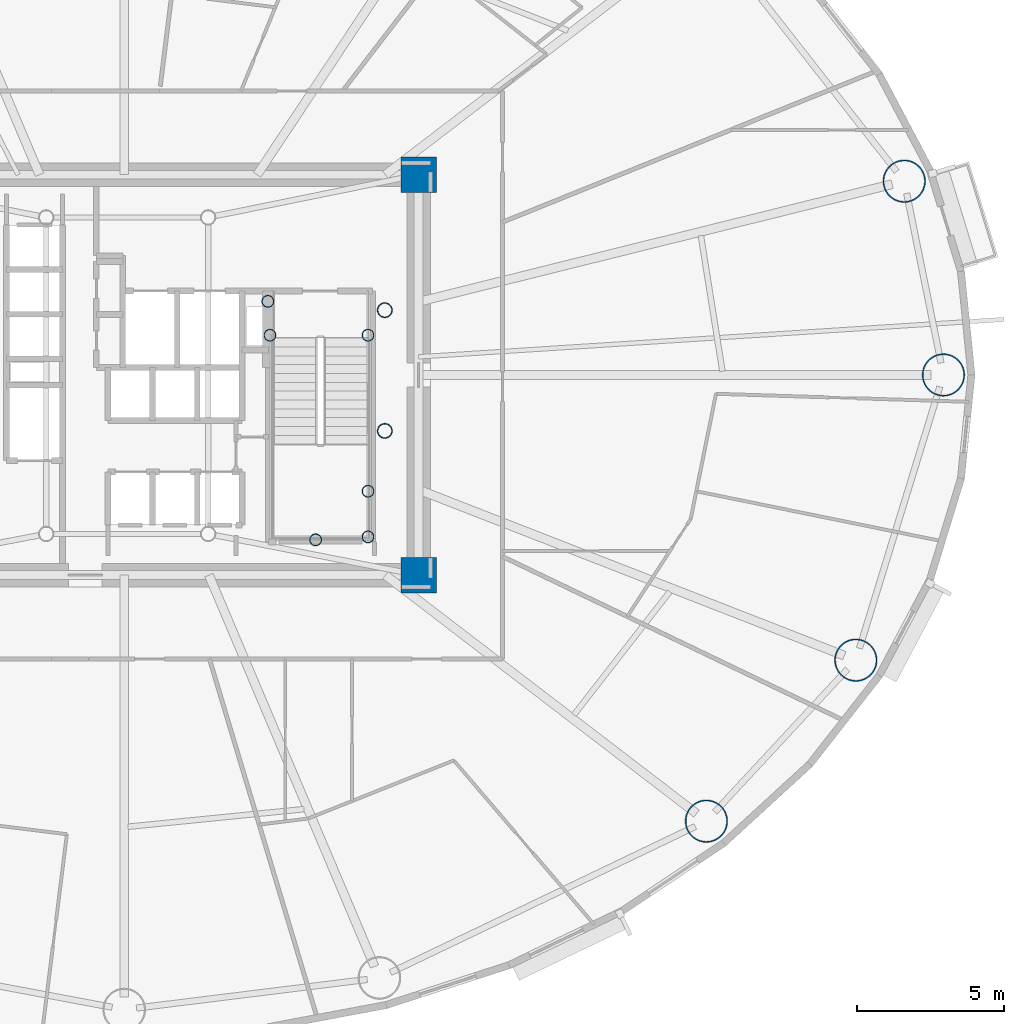
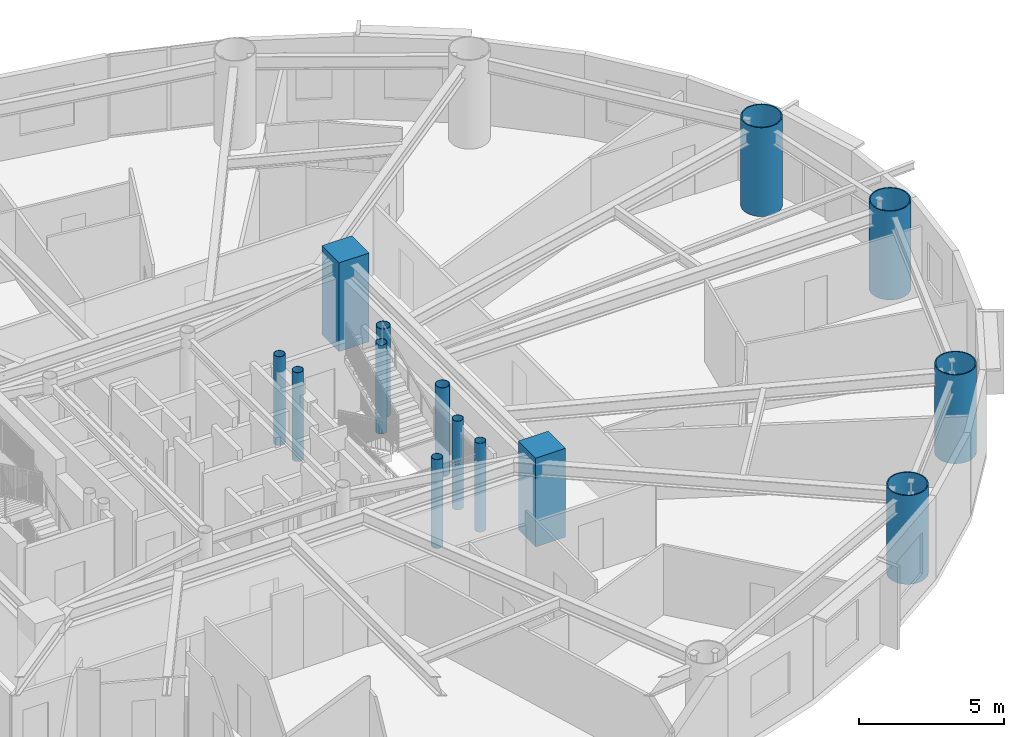
# One storey, part 2 of 18: 14 columns.
"""IFC4 building model written with IfcOpenShell, lengths in metres."""

import ifcopenshell
import ifcopenshell.guid

model = None  # the IFC model being written
_history = None  # IfcOwnerHistory: only IFC2X3 demands one
_inside = {}  # id of a spatial element -> (the spatial element, [elements in it])
_under = {}  # id of a project, library or spatial element -> (it, [spatial elements below it])
_declared = {}  # id of a project -> (the project, [libraries it declares])
_typed = {}  # id of a type object -> (the type object, [elements of that type])
_made_of = {}  # id of a material, layer set ... -> (it, [elements and type objects made of it])


def new_model(schema):
    """Start an empty IFC model of exactly this schema.

    Asked for "IFC4X3", IfcOpenShell would pick the latest addendum, in which some entities
    have other attributes; the version numbers below select the first issue.
    IFC2X3 requires an IfcOwnerHistory on every rooted entity: one is made here for all.
    """
    global model, _history
    if schema == "IFC4X3":
        model = ifcopenshell.file(schema_version=(4, 3, 0, 0))
    else:
        model = ifcopenshell.file(schema=schema)
    _inside.clear()
    _under.clear()
    _declared.clear()
    _typed.clear()
    _made_of.clear()
    _history = None
    if model.schema == "IFC2X3":
        org = make("IfcOrganization", Name="unknown")
        user = make(
            "IfcPersonAndOrganization",
            ThePerson=make("IfcPerson", FamilyName="unknown"),
            TheOrganization=org,
        )
        app = make(
            "IfcApplication",
            ApplicationDeveloper=org,
            Version="unknown",
            ApplicationFullName="unknown",
            ApplicationIdentifier="unknown",
        )
        _history = make(
            "IfcOwnerHistory",
            OwningUser=user,
            OwningApplication=app,
            ChangeAction="ADDED",
            CreationDate=0,
        )
    return model


def make(cls, **values):
    """One entity of the class cls with the attributes given. An attribute that is None is left unset."""
    return model.create_entity(
        cls, **{name: value for name, value in values.items() if value is not None}
    )


def rooted(cls, **values):
    """An entity with a GlobalId (a new one), such as an element, a storey or a relation."""
    return make(cls, GlobalId=ifcopenshell.guid.new(), OwnerHistory=_history, **values)


def si_unit(unit_type, name, prefix=None):
    """IfcSIUnit, for example si_unit("LENGTHUNIT", "METRE", prefix="MILLI")."""
    return make("IfcSIUnit", UnitType=unit_type, Prefix=prefix, Name=name)


def assignment(units):
    """IfcUnitAssignment: the units of a project."""
    return None if units is None else make("IfcUnitAssignment", Units=units)


def point(xyz):
    """IfcCartesianPoint."""
    return None if xyz is None else make("IfcCartesianPoint", Coordinates=xyz)


def direction(xyz):
    """IfcDirection."""
    return None if xyz is None else make("IfcDirection", DirectionRatios=xyz)


def frame(location, z_axis=None, x_axis=None):
    """IfcAxis2Placement3D, a coordinate frame: its origin and axes. An axis left out is left unset."""
    return make(
        "IfcAxis2Placement3D",
        Location=point(location),
        Axis=direction(z_axis),
        RefDirection=direction(x_axis),
    )


def frame_2d(location, x_axis=None):
    """IfcAxis2Placement2D, a coordinate frame in the plane: its origin and x axis."""
    return make(
        "IfcAxis2Placement2D", Location=point(location), RefDirection=direction(x_axis)
    )


def origin():
    """The frame at (0, 0, 0) with its axes left unset."""
    return frame((0.0, 0.0, 0.0))


def origin_2d():
    """The frame at (0, 0) in the plane with its x axis left unset."""
    return frame_2d((0.0, 0.0))


def place(relative_to, where):
    """IfcLocalPlacement: puts the frame where relative to a parent placement (None: the world)."""
    return make(
        "IfcLocalPlacement", PlacementRelTo=relative_to, RelativePlacement=where
    )


def context(
    kind, dimensions, precision=None, world=None, true_north=None, identifier=None
):
    """IfcGeometricRepresentationContext, for example the 3D "Model" context."""
    return make(
        "IfcGeometricRepresentationContext",
        ContextIdentifier=identifier,
        ContextType=kind,
        CoordinateSpaceDimension=dimensions,
        Precision=precision,
        WorldCoordinateSystem=world,
        TrueNorth=true_north,
    )


def subcontext(parent, identifier, kind, view, scale=None):
    """IfcGeometricRepresentationSubContext, for example "Body" below "Model"."""
    return make(
        "IfcGeometricRepresentationSubContext",
        ContextIdentifier=identifier,
        ContextType=kind,
        ParentContext=parent,
        TargetScale=scale,
        TargetView=view,
    )


def project(units=None, contexts=None):
    """IfcProject with its units and contexts."""
    return rooted(
        "IfcProject",
        Name="project",
        RepresentationContexts=contexts,
        UnitsInContext=assignment(units),
    )


def spatial(cls, under=None, at=None, **own):
    """A site, building, storey or space (cls), placed at a placement, below another one or the project."""
    s = rooted(cls, ObjectPlacement=at, **own)
    if under is not None:
        _under.setdefault(under.id(), (under, []))[1].append(s)
    return s


def profile(cls, at=None, kind="AREA", **sizes):
    """A parametric profile (cls). Its sizes go by their IFC names, for example OverallWidth=200.0."""
    return make(cls, ProfileType=kind, Position=at, **sizes)


def rectangle(**sizes):
    """IfcRectangleProfileDef."""
    return profile("IfcRectangleProfileDef", **sizes)


def hollow_circle(**sizes):
    """IfcCircleHollowProfileDef."""
    return profile("IfcCircleHollowProfileDef", **sizes)


def extrude(swept, where, along, depth):
    """IfcExtrudedAreaSolid: the profile swept, set in the frame where, extruded along a direction by depth."""
    return make(
        "IfcExtrudedAreaSolid",
        SweptArea=swept,
        Position=where,
        ExtrudedDirection=direction(along),
        Depth=depth,
    )


def shape(context_of_items, identifier, shape_type, items):
    """IfcShapeRepresentation: the items that make up one representation, for example the "Body"."""
    return make(
        "IfcShapeRepresentation",
        ContextOfItems=context_of_items,
        RepresentationIdentifier=identifier,
        RepresentationType=shape_type,
        Items=items,
    )


def material(Name=None, Category=None):
    """IfcMaterial."""
    return make("IfcMaterial", Name=Name, Category=Category)


def material_profile(
    of_material, cross_section, Name=None, Category=None, Priority=None
):
    """IfcMaterialProfile: a cross section and its material."""
    return make(
        "IfcMaterialProfile",
        Name=Name,
        Material=of_material,
        Profile=cross_section,
        Priority=Priority,
        Category=Category,
    )


def profile_set(profiles, Name=None, composite=None):
    """IfcMaterialProfileSet."""
    return make(
        "IfcMaterialProfileSet",
        Name=Name,
        MaterialProfiles=profiles,
        CompositeProfile=composite,
    )


def made_of(thing, what):
    """Note that an element or type object is made of a material, layer set ...; save() writes the relation."""
    if what is not None:
        _made_of.setdefault(what.id(), (what, []))[1].append(thing)
    return thing


def type_object(cls, material=None, **own):
    """A type object (cls), such as IfcWallType, which elements share."""
    return made_of(rooted(cls, **own), material)


def element(
    cls,
    number,
    at=None,
    inside=None,
    cuts=None,
    type_object=None,
    material=None,
    context=None,
    identifier="Body",
    shape_type=None,
    held_by="IfcProductDefinitionShape",
    body=None,
    shapes=None,
    **own,
):
    """One element of the class cls, such as IfcWall. Its Tag is "e" and its number.

    at: its placement. inside: the storey or other place that contains it. cuts: it is an
    opening in that element (IfcRelVoidsElement). A single representation is given by context,
    identifier, shape_type and body (its items); several are given by shapes. held_by: the class
    of the entity that holds the representations. save() writes the other relations.
    """
    e = rooted(cls, Tag="e%d" % number, ObjectPlacement=at, **own)
    if body is not None:
        shapes = [shape(context, identifier, shape_type, body)]
    if shapes is not None:
        e.Representation = make(held_by, Representations=shapes)
    if inside is not None:
        _inside.setdefault(inside.id(), (inside, []))[1].append(e)
    if cuts is not None:
        rooted(
            "IfcRelVoidsElement", RelatingBuildingElement=cuts, RelatedOpeningElement=e
        )
    if type_object is not None:
        _typed.setdefault(type_object.id(), (type_object, []))[1].append(e)
    return made_of(e, material)


def aggregate(whole, parts):
    """IfcRelAggregates: a whole, such as a stair, and the parts it consists of."""
    return rooted("IfcRelAggregates", RelatingObject=whole, RelatedObjects=parts)


def save(model, path):
    """Write the relations noted so far, then the file.

    IfcRelAggregates (storeys below a building ...), IfcRelContainedInSpatialStructure (elements
    in a storey), IfcRelDefinesByType, IfcRelAssociatesMaterial and IfcRelDeclares: one each for
    every whole, place, type object, material and project.
    """
    for whole, parts in _under.values():
        aggregate(whole, parts)
    for where, things in _inside.values():
        rooted(
            "IfcRelContainedInSpatialStructure",
            RelatedElements=things,
            RelatingStructure=where,
        )
    for kind, things in _typed.values():
        rooted("IfcRelDefinesByType", RelatedObjects=things, RelatingType=kind)
    for what, things in _made_of.values():
        rooted("IfcRelAssociatesMaterial", RelatedObjects=things, RelatingMaterial=what)
    for by, libraries in _declared.values():
        rooted("IfcRelDeclares", RelatingContext=by, RelatedDefinitions=libraries)
    model.write(path)


model = new_model("IFC4")

# Units and contexts
model_context = context("Model", 3, precision=1e-05, world=origin(), true_north=direction((0.0, 1.0)))
body_context = subcontext(model_context, "Body", "Model", "MODEL_VIEW")
ifc_project = project(units=[si_unit("LENGTHUNIT", "METRE"), si_unit("AREAUNIT", "SQUARE_METRE"), si_unit("VOLUMEUNIT", "CUBIC_METRE"), si_unit("PLANEANGLEUNIT", "RADIAN"), si_unit("MASSUNIT", "GRAM", prefix="KILO")], contexts=[model_context])

# Site, building, storey
site_placement = place(None, origin())
site = spatial("IfcSite", under=ifc_project, at=site_placement, CompositionType="ELEMENT")
building_placement = place(site_placement, origin())
building = spatial("IfcBuilding", under=site, at=building_placement, Name="Linh Dai School and Residence Tower", CompositionType="ELEMENT")
storey_placement = place(building_placement, frame((0.0, 0.0, 100.949951171875)))
storey = spatial("IfcBuildingStorey", under=building, at=storey_placement, Name="L23", CompositionType="ELEMENT", Elevation=100.949951171875)

# Columns
ifc_material_1 = material(Name="Concrete B60 (C50/60)", Category="concrete")
ifc_material_profile_1 = material_profile(ifc_material_1, rectangle(XDim=1.199951171875, YDim=1.199951171875, at=origin_2d()), Name="RC 1200x1200")
ifc_profile_set_1 = profile_set([ifc_material_profile_1], Name="Concrete B60 (C50/60)")
column_type_1 = type_object("IfcColumnType", Name="COL-CC2", PredefinedType="COLUMN", material=ifc_profile_set_1)
for number, where, z_axis, x_axis, name in (
    (1, (46.0, 20.199951171875, 0.0), (0.0, 0.0, 1.0), (1.0, 0.0, 0.0), "L23 Core Corner Pier CC2"),
    (2, (46.0, 33.800048828125, 0.0), (0.0, 0.0, 1.0), (1.0, 0.0, 0.0), "L23 Core Corner Pier CC3"),
):
    element("IfcColumn", number, at=place(storey_placement, frame(where, z_axis=z_axis, x_axis=x_axis)), inside=storey, type_object=column_type_1, Name=name, PredefinedType="COLUMN", context=body_context, shape_type="SweptSolid", body=[
        extrude(rectangle(XDim=1.199951171875, YDim=1.199951171875, at=origin_2d()), origin(), (0.0, 0.0, 1.0), 3.75),
    ])
ifc_material_2 = material(Name="Structural Steel S355JR", Category="steel")
ifc_material_profile_2 = material_profile(ifc_material_2, hollow_circle(Radius=0.203125, WallThickness=0.01611328125, at=origin_2d()), Name="CHS 406.4x16")
ifc_profile_set_2 = profile_set([ifc_material_profile_2], Name="Structural Steel S355JR")
column_type_2 = type_object("IfcColumnType", Name="COL-EC", PredefinedType="COLUMN", material=ifc_profile_set_2)
for number, where, z_axis, x_axis, name in (
    (3, (44.280029296875, 21.5, 0.0), (0.0, 0.0, 1.0), (1.0, 0.0, 0.0), "L23 Stair Shaft Landing Support Pier ST2SE"),
    (4, (44.280029296875, 23.050048828125, 0.0), (0.0, 0.0, 1.0), (1.0, 0.0, 0.0), "L23 Stair Shaft Landing Support Pier ST2NE"),
    (5, (42.5, 21.39990234375, 0.0), (0.0, 0.0, 1.0), (1.0, 0.0, 0.0), "L23 Stair Shaft Landing Support Pier ST2MS"),
    (6, (40.949951171875, 28.35009765625, 0.0), (0.0, 0.0, 1.0), (1.0, 0.0, 0.0), "L23 Stair Shaft Landing Support Pier ST2N1"),
    (7, (44.280029296875, 28.35009765625, 0.0), (0.0, 0.0, 1.0), (1.0, 0.0, 0.0), "L23 Stair Shaft Landing Support Pier ST2N2"),
    (8, (40.8798828125, 29.5, 0.0), (0.0, 0.0, 1.0), (1.0, 0.0, 0.0), "L23 Stair Shaft Landing Support Pier ST2N3"),
):
    element("IfcColumn", number, at=place(storey_placement, frame(where, z_axis=z_axis, x_axis=x_axis)), inside=storey, type_object=column_type_2, Name=name, PredefinedType="COLUMN", context=body_context, shape_type="SweptSolid", body=[
        extrude(hollow_circle(Radius=0.203125, WallThickness=0.01611328125, at=origin_2d()), origin(), (0.0, 0.0, 1.0), 3.75),
    ])
ifc_material_profile_3 = material_profile(ifc_material_2, hollow_circle(Radius=0.72509765625, WallThickness=0.0419921875, at=origin_2d()), Name="CHS 1450x42")
ifc_profile_set_3 = profile_set([ifc_material_profile_3], Name="Structural Steel S355JR")
column_type_3 = type_object("IfcColumnType", Name="COL-MC3", PredefinedType="COLUMN", material=ifc_profile_set_3)
for number, where, z_axis, x_axis, name in (
    (9, (63.824951171875, 27.0, 0.0), (0.0, 0.0, 1.0), (1.0, 0.0, 0.0), "L23 Perimeter CFT Mega-Column MC01"),
    (10, (62.49267578125, 33.5810546875, 0.0), (0.0, 0.0, 1.0), (1.0, 0.0, 0.0), "L23 Perimeter CFT Mega-Column MC02"),
    (11, (55.772705078125, 11.844482421875, 0.0), (0.0, 0.0, 1.0), (1.0, 0.0, 0.0), "L23 Perimeter CFT Mega-Column MC15"),
    (12, (60.84912109375, 17.3125, 0.0), (0.0, 0.0, 1.0), (1.0, 0.0, 0.0), "L23 Perimeter CFT Mega-Column MC16"),
):
    element("IfcColumn", number, at=place(storey_placement, frame(where, z_axis=z_axis, x_axis=x_axis)), inside=storey, type_object=column_type_3, Name=name, PredefinedType="COLUMN", context=body_context, shape_type="SweptSolid", body=[
        extrude(hollow_circle(Radius=0.72509765625, WallThickness=0.0419921875, at=origin_2d()), origin(), (0.0, 0.0, 1.0), 3.75),
    ])
ifc_material_profile_4 = material_profile(ifc_material_2, hollow_circle(Radius=0.25390625, WallThickness=0.02001953125, at=origin_2d()), Name="CHS 508x20")
ifc_profile_set_4 = profile_set([ifc_material_profile_4], Name="Structural Steel S355JR")
column_type_4 = type_object("IfcColumnType", Name="COL-MCP", PredefinedType="COLUMN", material=ifc_profile_set_4)
for number, where, z_axis, x_axis, name in (
    (13, (44.85009765625, 25.10009765625, 0.0), (0.0, 0.0, 1.0), (1.0, 0.0, 0.0), "L23 Sky-Lounge Core Anchor Pier S"),
    (14, (44.85009765625, 29.199951171875, 0.0), (0.0, 0.0, 1.0), (1.0, 0.0, 0.0), "L23 Sky-Lounge Core Anchor Pier N"),
):
    element("IfcColumn", number, at=place(storey_placement, frame(where, z_axis=z_axis, x_axis=x_axis)), inside=storey, type_object=column_type_4, Name=name, PredefinedType="COLUMN", context=body_context, shape_type="SweptSolid", body=[
        extrude(hollow_circle(Radius=0.25390625, WallThickness=0.02001953125, at=origin_2d()), origin(), (0.0, 0.0, 1.0), 3.75),
    ])

save(model, "model.ifc")
